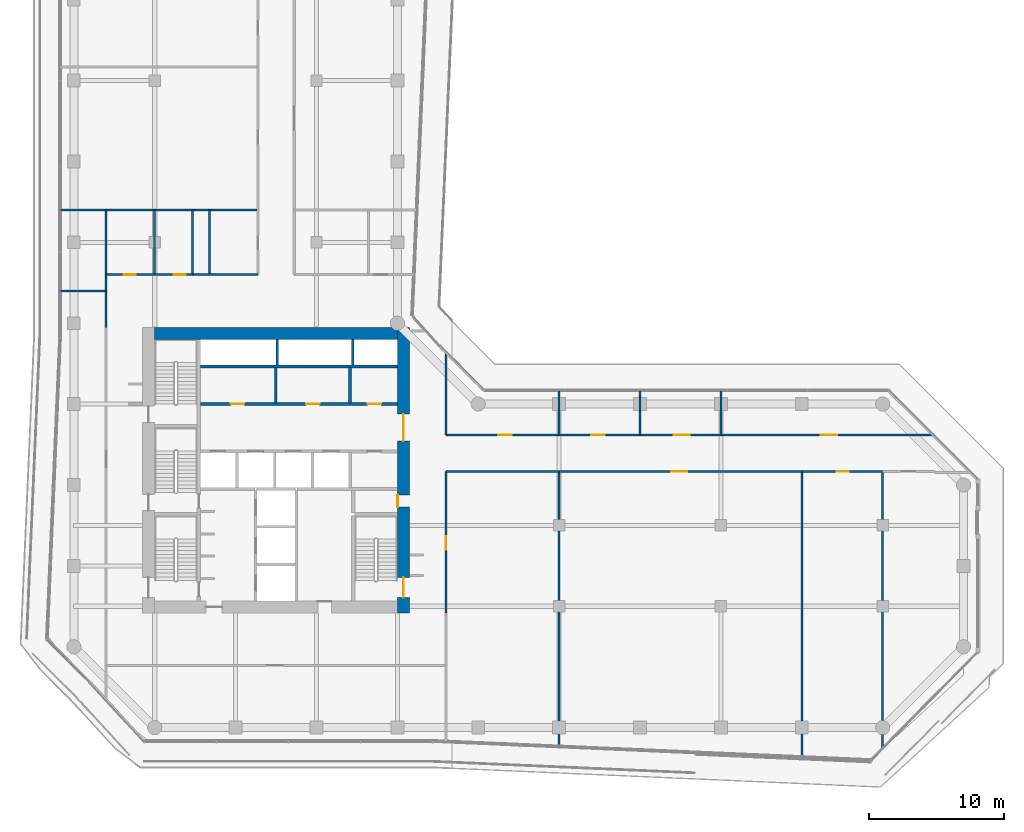
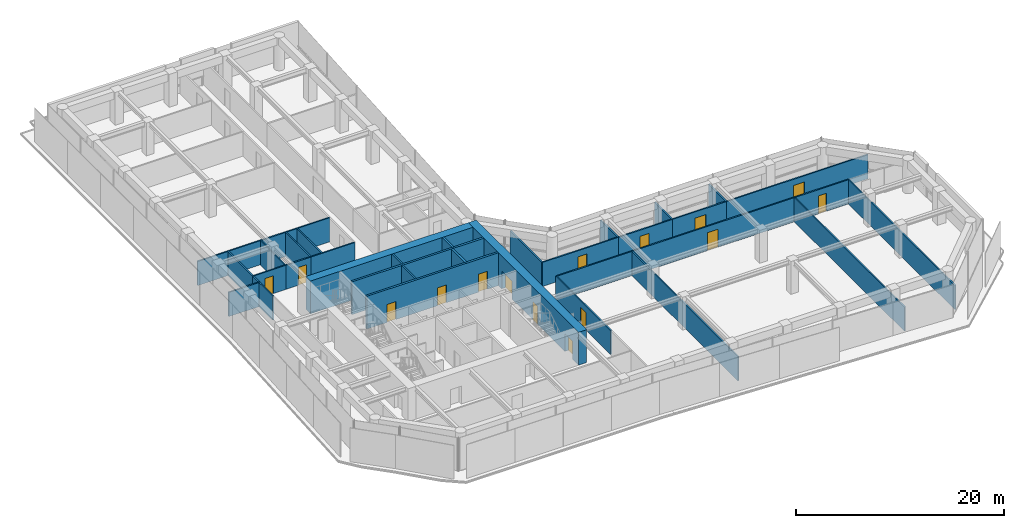
# One storey, part 24 of 29: 33 walls, 15 doors, 15 openings.
"""IFC4 building model written with IfcOpenShell, lengths in metres."""

from ifc_helpers import new_model, si_unit, direction, frame, frame_2d, origin, place, context, subcontext, project, spatial, rectangle, extrude, material, layer, layer_set, type_object, element, fill, save


model = new_model("IFC4")

# Units and contexts
model_context = context("Model", 3, precision=1e-05, world=origin(), true_north=direction((0.0, 1.0)))
body_context = subcontext(model_context, "Body", "Model", "MODEL_VIEW")
ifc_project = project(units=[si_unit("LENGTHUNIT", "METRE"), si_unit("AREAUNIT", "SQUARE_METRE"), si_unit("VOLUMEUNIT", "CUBIC_METRE"), si_unit("PLANEANGLEUNIT", "RADIAN"), si_unit("MASSUNIT", "GRAM", prefix="KILO")], contexts=[model_context])

# Site, building, storey
site_placement = place(None, origin())
site = spatial("IfcSite", under=ifc_project, at=site_placement, CompositionType="ELEMENT")
building_placement = place(site_placement, origin())
building = spatial("IfcBuilding", under=site, at=building_placement, Name="Welwitschia Terrace Campus", CompositionType="ELEMENT")
storey_placement = place(building_placement, frame((0.0, 0.0, 41.60009765625)))
storey = spatial("IfcBuildingStorey", under=building, at=storey_placement, Name="L09", CompositionType="ELEMENT", Elevation=41.60009765625)

# Wall
ifc_material_1 = material(Name="Concrete C32/40", Category="concrete")
ifc_layer_1 = layer(ifc_material_1, 0.175048828125)
ifc_layer_set_1 = layer_set([ifc_layer_1], Name="Concrete C32/40")
wall_type_1 = type_object("IfcWallType", Name="Core partition 175 Concrete C32/40", PredefinedType="PARTITIONING", material=ifc_layer_set_1)
wall_1_placement = place(storey_placement, frame((14.97509765625, 20.10009765625, 0.0), z_axis=(0.0, 0.0, 1.0), x_axis=(0.0, 1.0, 0.0)))
element("IfcWall", 1, at=wall_1_placement, inside=storey, type_object=wall_type_1, Name="Core partition", PredefinedType="PARTITIONING", context=body_context, shape_type="SweptSolid", body=[
    extrude(rectangle(XDim=2.599853515625, YDim=0.175048828125, at=frame_2d((1.2998046875, 0.0))), origin(), (0.0, 0.0, 1.0), 3.849853515625),
])

# Wall, openings, doors
ifc_material_2 = material(Name="Concrete C32/40", Category="concrete")
ifc_layer_2 = layer(ifc_material_2, 0.22509765625)
ifc_layer_set_2 = layer_set([ifc_layer_2], Name="Concrete C32/40")
wall_type_2 = type_object("IfcWallType", Name="Core partition 225 Concrete C32/40", PredefinedType="PARTITIONING", material=ifc_layer_set_2)
wall_2_placement = place(storey_placement, frame((24.0, 20.0, 0.0), z_axis=(0.0, 0.0, 1.0), x_axis=(-1.0, 0.0, 0.0)))
wall_2 = element("IfcWall", 2, at=wall_2_placement, inside=storey, type_object=wall_type_2, Name="Core partition", PredefinedType="PARTITIONING", context=body_context, shape_type="SweptSolid", body=[
    extrude(rectangle(XDim=14.60009765625, YDim=0.22509765625, at=frame_2d((7.300048828125, 0.0))), origin(), (0.0, 0.0, 1.0), 3.849853515625),
])
opening_1_placement = place(wall_2_placement, frame((11.35009765625, 0.0, 0.0)))
opening_1 = element("IfcOpeningElement", 3, at=opening_1_placement, cuts=wall_2, Name="Opening DR10", PredefinedType="OPENING", context=body_context, shape_type="SweptSolid", body=[
    extrude(rectangle(XDim=1.0, YDim=2.10009765625, at=frame_2d((0.5, 1.050048828125))), frame((0.0, 0.12255859375, 0.0), z_axis=(0.0, -1.0, 0.0), x_axis=(1.0, 0.0, 0.0)), (0.0, 0.0, 1.0), 0.2451171875),
])
opening_2_placement = place(wall_2_placement, frame((5.77490234375, 0.0, 0.0)))
opening_2 = element("IfcOpeningElement", 4, at=opening_2_placement, cuts=wall_2, Name="Opening DR10", PredefinedType="OPENING", context=body_context, shape_type="SweptSolid", body=[
    extrude(rectangle(XDim=1.0, YDim=2.10009765625, at=frame_2d((0.5, 1.050048828125))), frame((0.0, 0.12255859375, 0.0), z_axis=(0.0, -1.0, 0.0), x_axis=(1.0, 0.0, 0.0)), (0.0, 0.0, 1.0), 0.2451171875),
])
opening_3_placement = place(wall_2_placement, frame((1.199951171875, 0.0, 0.0)))
opening_3 = element("IfcOpeningElement", 5, at=opening_3_placement, cuts=wall_2, Name="Opening DR10", PredefinedType="OPENING", context=body_context, shape_type="SweptSolid", body=[
    extrude(rectangle(XDim=1.0, YDim=2.10009765625, at=frame_2d((0.5, 1.050048828125))), frame((0.0, 0.12255859375, 0.0), z_axis=(0.0, -1.0, 0.0), x_axis=(1.0, 0.0, 0.0)), (0.0, 0.0, 1.0), 0.2451171875),
])
ifc_material_3 = material(Name="Steel S275", Category="steel")
door_type_1 = type_object("IfcDoorType", Name="Core door DR10", OperationType="SINGLE_SWING_LEFT", PredefinedType="DOOR", material=ifc_material_3)
door_1_placement = place(opening_1_placement, origin())
door_1 = element("IfcDoor", 6, at=door_1_placement, inside=storey, type_object=door_type_1, Name="Door BAYH1-D", OperationType="SINGLE_SWING_RIGHT", OverallHeight=2.10009765625, OverallWidth=1.0, PredefinedType="DOOR", context=body_context, shape_type="SweptSolid", body=[
    extrude(rectangle(XDim=1.0, YDim=2.10009765625, at=frame_2d((0.5, 1.050048828125))), frame((0.0, 0.02490234375, 0.0), z_axis=(0.0, -1.0, 0.0), x_axis=(1.0, 0.0, 0.0)), (0.0, 0.0, 1.0), 0.050048828125),
])
fill(opening_1, door_1)
door_2_placement = place(opening_2_placement, origin())
door_2 = element("IfcDoor", 7, at=door_2_placement, inside=storey, type_object=door_type_1, Name="Door BAYH2-D", OperationType="SINGLE_SWING_LEFT", OverallHeight=2.10009765625, OverallWidth=1.0, PredefinedType="DOOR", context=body_context, shape_type="SweptSolid", body=[
    extrude(rectangle(XDim=1.0, YDim=2.10009765625, at=frame_2d((0.5, 1.050048828125))), frame((0.0, 0.02490234375, 0.0), z_axis=(0.0, -1.0, 0.0), x_axis=(1.0, 0.0, 0.0)), (0.0, 0.0, 1.0), 0.050048828125),
])
fill(opening_2, door_2)
door_3_placement = place(opening_3_placement, origin())
door_3 = element("IfcDoor", 8, at=door_3_placement, inside=storey, type_object=door_type_1, Name="Door EH-D", OperationType="SINGLE_SWING_LEFT", OverallHeight=2.10009765625, OverallWidth=1.0, PredefinedType="DOOR", context=body_context, shape_type="SweptSolid", body=[
    extrude(rectangle(XDim=1.0, YDim=2.10009765625, at=frame_2d((0.5, 1.050048828125))), frame((0.0, 0.02490234375, 0.0), z_axis=(0.0, -1.0, 0.0), x_axis=(1.0, 0.0, 0.0)), (0.0, 0.0, 1.0), 0.050048828125),
])
fill(opening_3, door_3)

# Walls
wall_3_placement = place(storey_placement, frame((9.39990234375, 22.800048828125, 0.0), z_axis=(0.0, 0.0, 1.0), x_axis=(1.0, 0.0, 0.0)))
element("IfcWall", 9, at=wall_3_placement, inside=storey, type_object=wall_type_2, Name="Shaft wall", PredefinedType="PARTITIONING", context=body_context, shape_type="SweptSolid", body=[
    extrude(rectangle(XDim=14.60009765625, YDim=0.22509765625, at=frame_2d((7.300048828125, 0.0))), origin(), (0.0, 0.0, 1.0), 3.849853515625),
])
wall_4_placement = place(storey_placement, frame((20.5, 20.10009765625, 0.0), z_axis=(0.0, 0.0, 1.0), x_axis=(0.0, 1.0, 0.0)))
element("IfcWall", 10, at=wall_4_placement, inside=storey, type_object=wall_type_2, Name="Core partition", PredefinedType="PARTITIONING", context=body_context, shape_type="SweptSolid", body=[
    extrude(rectangle(XDim=2.599853515625, YDim=0.22509765625, at=frame_2d((1.2998046875, 0.0))), origin(), (0.0, 0.0, 1.0), 3.849853515625),
])
ifc_material_4 = material(Name="Concrete C50/60", Category="concrete")
ifc_layer_3 = layer(ifc_material_4, 0.199951171875)
ifc_layer_set_3 = layer_set([ifc_layer_3], Name="Concrete C50/60")
wall_type_3 = type_object("IfcWallType", Name="Core wall 200 Concrete C50/60", PredefinedType="SHEAR", material=ifc_layer_set_3)
for number, where, z_axis, x_axis, name in (
    (11, (15.10009765625, 22.89990234375, 0.0), (0.0, 0.0, 1.0), (0.0, 1.0, 0.0), "Core wall"),
    (12, (20.699951171875, 22.89990234375, 0.0), (0.0, 0.0, 1.0), (0.0, 1.0, 0.0), "Core wall"),
):
    element("IfcWall", number, at=place(storey_placement, frame(where, z_axis=z_axis, x_axis=x_axis)), inside=storey, type_object=wall_type_3, Name=name, PredefinedType="SHEAR", context=body_context, shape_type="SweptSolid", body=[
        extrude(rectangle(XDim=1.900146484375, YDim=0.199951171875, at=frame_2d((0.9501953125, 0.0))), origin(), (0.0, 0.0, 1.0), 3.849853515625),
    ])

# Wall, openings, doors
ifc_material_5 = material(Name="Concrete C70/85", Category="concrete")
ifc_layer_4 = layer(ifc_material_5, 0.89990234375)
ifc_layer_set_4 = layer_set([ifc_layer_4], Name="Concrete C70/85")
wall_type_4 = type_object("IfcWallType", Name="Core wall 900 Concrete C70/85", PredefinedType="SHEAR", material=ifc_layer_set_4)
wall_5_placement = place(storey_placement, frame((24.449951171875, 25.699951171875, 0.0), z_axis=(0.0, 0.0, 1.0), x_axis=(0.0, -1.0, 0.0)))
wall_5 = element("IfcWall", 13, at=wall_5_placement, inside=storey, type_object=wall_type_4, Name="Core outer wall", PredefinedType="SHEAR", context=body_context, shape_type="SweptSolid", body=[
    extrude(rectangle(XDim=21.199951171875, YDim=0.89990234375, at=frame_2d((10.60009765625, 0.0))), origin(), (0.0, 0.0, 1.0), 3.849853515625),
])
opening_4_placement = place(wall_5_placement, frame((18.550048828125, 0.0, 0.0)))
opening_4 = element("IfcOpeningElement", 14, at=opening_4_placement, cuts=wall_5, Name="Opening DS15", PredefinedType="OPENING", context=body_context, shape_type="SweptSolid", body=[
    extrude(rectangle(XDim=1.5, YDim=2.10009765625, at=frame_2d((0.75, 1.050048828125))), frame((0.0, 0.4599609375, 0.0), z_axis=(0.0, -1.0, 0.0), x_axis=(1.0, 0.0, 0.0)), (0.0, 0.0, 1.0), 0.919921875),
])
opening_5_placement = place(wall_5_placement, frame((12.449951171875, 0.0, 0.0)))
opening_5 = element("IfcOpeningElement", 15, at=opening_5_placement, cuts=wall_5, Name="Opening DR09", PredefinedType="OPENING", context=body_context, shape_type="SweptSolid", body=[
    extrude(rectangle(XDim=0.89990234375, YDim=2.10009765625, at=frame_2d((0.449951171875, 1.050048828125))), frame((0.0, 0.4599609375, 0.0), z_axis=(0.0, -1.0, 0.0), x_axis=(1.0, 0.0, 0.0)), (0.0, 0.0, 1.0), 0.919921875),
])
opening_6_placement = place(wall_5_placement, frame((6.449951171875, 0.0, 0.0)))
opening_6 = element("IfcOpeningElement", 16, at=opening_6_placement, cuts=wall_5, Name="Opening DL20", PredefinedType="OPENING", context=body_context, shape_type="SweptSolid", body=[
    extrude(rectangle(XDim=2.0, YDim=2.10009765625, at=frame_2d((1.0, 1.050048828125))), frame((0.0, 0.4599609375, 0.0), z_axis=(0.0, -1.0, 0.0), x_axis=(1.0, 0.0, 0.0)), (0.0, 0.0, 1.0), 0.919921875),
])
ifc_material_6 = material(Name="Steel S275", Category="steel")
door_type_2 = type_object("IfcDoorType", Name="Core door DL20", OperationType="DOUBLE_DOOR_SINGLE_SWING", PredefinedType="DOOR", material=ifc_material_6)
door_4_placement = place(opening_6_placement, origin())
door_4 = element("IfcDoor", 17, at=door_4_placement, inside=storey, type_object=door_type_2, Name="Door LOBBY-out", OperationType="DOUBLE_DOOR_SINGLE_SWING", OverallHeight=2.10009765625, OverallWidth=2.0, PredefinedType="DOOR", context=body_context, shape_type="SweptSolid", body=[
    extrude(rectangle(XDim=2.0, YDim=2.10009765625, at=frame_2d((1.0, 1.050048828125))), frame((0.0, 0.02490234375, 0.0), z_axis=(0.0, -1.0, 0.0), x_axis=(1.0, 0.0, 0.0)), (0.0, 0.0, 1.0), 0.050048828125),
])
fill(opening_6, door_4)
ifc_material_7 = material(Name="Steel S275", Category="steel")
door_type_3 = type_object("IfcDoorType", Name="Core door DR09", OperationType="SINGLE_SWING_LEFT", PredefinedType="DOOR", material=ifc_material_7)
door_5_placement = place(opening_5_placement, origin())
door_5 = element("IfcDoor", 18, at=door_5_placement, inside=storey, type_object=door_type_3, Name="Door F1B-out", OperationType="SINGLE_SWING_RIGHT", OverallHeight=2.10009765625, OverallWidth=0.89990234375, PredefinedType="DOOR", context=body_context, shape_type="SweptSolid", body=[
    extrude(rectangle(XDim=0.89990234375, YDim=2.10009765625, at=frame_2d((0.449951171875, 1.050048828125))), frame((0.0, -0.39013671875, 0.0), z_axis=(0.0, -1.0, 0.0), x_axis=(1.0, 0.0, 0.0)), (0.0, 0.0, 1.0), 0.050048828125),
])
fill(opening_5, door_5)
ifc_material_8 = material(Name="Steel S275", Category="steel")
door_type_4 = type_object("IfcDoorType", Name="Core door DS15", OperationType="DOUBLE_DOOR_SINGLE_SWING", PredefinedType="DOOR", material=ifc_material_8)
door_6_placement = place(opening_4_placement, origin())
door_6 = element("IfcDoor", 19, at=door_6_placement, inside=storey, type_object=door_type_4, Name="Door S2-out", OperationType="DOUBLE_DOOR_SINGLE_SWING", OverallHeight=2.10009765625, OverallWidth=1.5, PredefinedType="DOOR", context=body_context, shape_type="SweptSolid", body=[
    extrude(rectangle(XDim=1.5, YDim=2.10009765625, at=frame_2d((0.75, 1.050048828125))), frame((0.0, 0.02490234375, 0.0), z_axis=(0.0, -1.0, 0.0), x_axis=(1.0, 0.0, 0.0)), (0.0, 0.0, 1.0), 0.050048828125),
])
fill(opening_4, door_6)

# Walls
wall_6_placement = place(storey_placement, frame((6.0, 25.25, 0.0), z_axis=(0.0, 0.0, 1.0), x_axis=(1.0, 0.0, 0.0)))
element("IfcWall", 20, at=wall_6_placement, inside=storey, type_object=wall_type_4, Name="Core outer wall", PredefinedType="SHEAR", context=body_context, shape_type="SweptSolid", body=[
    extrude(rectangle(XDim=18.0, YDim=0.89990234375, at=frame_2d((9.0, 0.0))), origin(), (0.0, 0.0, 1.0), 3.849853515625),
])
ifc_material_9 = material(Name="Gypsum board on steel studs", Category="steel")
ifc_layer_5 = layer(ifc_material_9, 0.14990234375)
ifc_layer_set_5 = layer_set([ifc_layer_5], Name="Gypsum board on steel studs")
wall_type_5 = type_object("IfcWallType", Name="Corridor partition 150 EI 30", PredefinedType="PARTITIONING", material=ifc_layer_set_5)
wall_7_placement = place(storey_placement, frame((-1.010009765625, 28.39990234375, 0.0), z_axis=(0.0, 0.0, 1.0), x_axis=(1.0, 0.0, 0.0)))
element("IfcWall", 21, at=wall_7_placement, inside=storey, type_object=wall_type_5, Name="Partition", PredefinedType="PARTITIONING", context=body_context, shape_type="SweptSolid", body=[
    extrude(rectangle(XDim=3.409912109375, YDim=0.14990234375, at=frame_2d((1.705078125, 0.0))), origin(), (0.0, 0.0, 1.0), 2.829833984375),
])
wall_8_placement = place(storey_placement, frame((-1.010009765625, 34.39990234375, 0.0), z_axis=(0.0, 0.0, 1.0), x_axis=(1.0, 0.0, 0.0)))
element("IfcWall", 22, at=wall_8_placement, inside=storey, type_object=wall_type_5, Name="Partition", PredefinedType="PARTITIONING", context=body_context, shape_type="SweptSolid", body=[
    extrude(rectangle(XDim=14.659912109375, YDim=0.14990234375, at=frame_2d((7.330078125, 0.0))), origin(), (0.0, 0.0, 1.0), 2.829833984375),
])
wall_9_placement = place(storey_placement, frame((2.39990234375, 25.699951171875, 0.0), z_axis=(0.0, 0.0, 1.0), x_axis=(0.0, 1.0, 0.0)))
element("IfcWall", 23, at=wall_9_placement, inside=storey, type_object=wall_type_5, Name="Partition", PredefinedType="PARTITIONING", context=body_context, shape_type="SweptSolid", body=[
    extrude(rectangle(XDim=3.900146484375, YDim=0.14990234375, at=frame_2d((1.9501953125, 0.0))), origin(), (0.0, 0.0, 1.0), 2.829833984375),
])
wall_10_placement = place(storey_placement, frame((2.39990234375, 29.60009765625, 0.0), z_axis=(0.0, 0.0, 1.0), x_axis=(0.0, 1.0, 0.0)))
element("IfcWall", 24, at=wall_10_placement, inside=storey, type_object=wall_type_5, Name="Partition", PredefinedType="PARTITIONING", context=body_context, shape_type="SweptSolid", body=[
    extrude(rectangle(XDim=4.7998046875, YDim=0.14990234375, at=frame_2d((2.39990234375, 0.0))), origin(), (0.0, 0.0, 1.0), 2.829833984375),
])

# Wall, opening, door
wall_11_placement = place(storey_placement, frame((2.39990234375, 29.60009765625, 0.0), z_axis=(0.0, 0.0, 1.0), x_axis=(1.0, 0.0, 0.0)))
wall_11 = element("IfcWall", 25, at=wall_11_placement, inside=storey, type_object=wall_type_5, Name="Partition", PredefinedType="PARTITIONING", context=body_context, shape_type="SweptSolid", body=[
    extrude(rectangle(XDim=3.60009765625, YDim=0.14990234375, at=frame_2d((1.800048828125, 0.0))), origin(), (0.0, 0.0, 1.0), 2.829833984375),
])
opening_7_placement = place(wall_11_placement, frame((1.300048828125, 0.0, 0.0)))
opening_7 = element("IfcOpeningElement", 26, at=opening_7_placement, cuts=wall_11, Name="Opening DI09", PredefinedType="OPENING", context=body_context, shape_type="SweptSolid", body=[
    extrude(rectangle(XDim=0.89990234375, YDim=2.10009765625, at=frame_2d((0.449951171875, 1.050048828125))), frame((0.0, 0.0849609375, 0.0), z_axis=(0.0, -1.0, 0.0), x_axis=(1.0, 0.0, 0.0)), (0.0, 0.0, 1.0), 0.169921875),
])
ifc_material_10 = material(Name="Timber veneered door", Category="wood")
door_type_5 = type_object("IfcDoorType", Name="Interior door DI09", OperationType="NOTDEFINED", PredefinedType="DOOR", material=ifc_material_10)
door_7_placement = place(opening_7_placement, origin())
door_7 = element("IfcDoor", 27, at=door_7_placement, inside=storey, type_object=door_type_5, Name="Door L09 210", OperationType="SINGLE_SWING_LEFT", OverallHeight=2.10009765625, OverallWidth=0.89990234375, PredefinedType="DOOR", context=body_context, shape_type="SweptSolid", body=[
    extrude(rectangle(XDim=0.89990234375, YDim=2.10009765625, at=frame_2d((0.449951171875, 1.050048828125))), frame((0.0, 0.02490234375, 0.0), z_axis=(0.0, -1.0, 0.0), x_axis=(1.0, 0.0, 0.0)), (0.0, 0.0, 1.0), 0.050048828125),
])
fill(opening_7, door_7)

# Wall
wall_12_placement = place(storey_placement, frame((6.0, 29.60009765625, 0.0), z_axis=(0.0, 0.0, 1.0), x_axis=(0.0, 1.0, 0.0)))
element("IfcWall", 28, at=wall_12_placement, inside=storey, type_object=wall_type_5, Name="Partition", PredefinedType="PARTITIONING", context=body_context, shape_type="SweptSolid", body=[
    extrude(rectangle(XDim=4.7998046875, YDim=0.14990234375, at=frame_2d((2.39990234375, 0.0))), origin(), (0.0, 0.0, 1.0), 2.829833984375),
])

# Wall, opening, door
wall_13_placement = place(storey_placement, frame((6.0, 29.60009765625, 0.0), z_axis=(0.0, 0.0, 1.0), x_axis=(1.0, 0.0, 0.0)))
wall_13 = element("IfcWall", 29, at=wall_13_placement, inside=storey, type_object=wall_type_5, Name="Partition", PredefinedType="PARTITIONING", context=body_context, shape_type="SweptSolid", body=[
    extrude(rectangle(XDim=2.800048828125, YDim=0.14990234375, at=frame_2d((1.39990234375, 0.0))), origin(), (0.0, 0.0, 1.0), 2.829833984375),
])
opening_8_placement = place(wall_13_placement, frame((1.39990234375, 0.0, 0.0)))
opening_8 = element("IfcOpeningElement", 30, at=opening_8_placement, cuts=wall_13, Name="Opening DI09", PredefinedType="OPENING", context=body_context, shape_type="SweptSolid", body=[
    extrude(rectangle(XDim=0.89990234375, YDim=2.10009765625, at=frame_2d((0.449951171875, 1.050048828125))), frame((0.0, 0.0849609375, 0.0), z_axis=(0.0, -1.0, 0.0), x_axis=(1.0, 0.0, 0.0)), (0.0, 0.0, 1.0), 0.169921875),
])
door_8_placement = place(opening_8_placement, origin())
door_8 = element("IfcDoor", 31, at=door_8_placement, inside=storey, type_object=door_type_5, Name="Door L09 211", OperationType="SINGLE_SWING_RIGHT", OverallHeight=2.10009765625, OverallWidth=0.89990234375, PredefinedType="DOOR", context=body_context, shape_type="SweptSolid", body=[
    extrude(rectangle(XDim=0.89990234375, YDim=2.10009765625, at=frame_2d((0.449951171875, 1.050048828125))), frame((0.0, 0.02490234375, 0.0), z_axis=(0.0, -1.0, 0.0), x_axis=(1.0, 0.0, 0.0)), (0.0, 0.0, 1.0), 0.050048828125),
])
fill(opening_8, door_8)

# Walls
wall_14_placement = place(storey_placement, frame((8.800048828125, 29.60009765625, 0.0), z_axis=(0.0, 0.0, 1.0), x_axis=(0.0, 1.0, 0.0)))
element("IfcWall", 32, at=wall_14_placement, inside=storey, type_object=wall_type_5, Name="Partition", PredefinedType="PARTITIONING", context=body_context, shape_type="SweptSolid", body=[
    extrude(rectangle(XDim=4.7998046875, YDim=0.14990234375, at=frame_2d((2.39990234375, 0.0))), origin(), (0.0, 0.0, 1.0), 2.829833984375),
])
wall_15_placement = place(storey_placement, frame((8.800048828125, 29.60009765625, 0.0), z_axis=(0.0, 0.0, 1.0), x_axis=(1.0, 0.0, 0.0)))
element("IfcWall", 33, at=wall_15_placement, inside=storey, type_object=wall_type_5, Name="Partition", PredefinedType="PARTITIONING", context=body_context, shape_type="SweptSolid", body=[
    extrude(rectangle(XDim=4.849853515625, YDim=0.14990234375, at=frame_2d((2.4248046875, 0.0))), origin(), (0.0, 0.0, 1.0), 2.829833984375),
])
wall_16_placement = place(storey_placement, frame((10.050048828125, 29.60009765625, 0.0), z_axis=(0.0, 0.0, 1.0), x_axis=(0.0, 1.0, 0.0)))
element("IfcWall", 34, at=wall_16_placement, inside=storey, type_object=wall_type_5, Name="Partition", PredefinedType="PARTITIONING", context=body_context, shape_type="SweptSolid", body=[
    extrude(rectangle(XDim=4.7998046875, YDim=0.14990234375, at=frame_2d((2.39990234375, 0.0))), origin(), (0.0, 0.0, 1.0), 2.829833984375),
])

# Wall, opening, door
wall_17_placement = place(storey_placement, frame((27.60009765625, 15.0, 0.0), z_axis=(0.0, 0.0, 1.0), x_axis=(0.0, -1.0, 0.0)))
wall_17 = element("IfcWall", 35, at=wall_17_placement, inside=storey, type_object=wall_type_5, Name="Partition", PredefinedType="PARTITIONING", context=body_context, shape_type="SweptSolid", body=[
    extrude(rectangle(XDim=10.5, YDim=0.14990234375, at=frame_2d((5.25, 0.0))), origin(), (0.0, 0.0, 1.0), 2.829833984375),
])
opening_9_placement = place(wall_17_placement, frame((4.800048828125, 0.0, 0.0)))
opening_9 = element("IfcOpeningElement", 36, at=opening_9_placement, cuts=wall_17, Name="Opening DI10", PredefinedType="OPENING", context=body_context, shape_type="SweptSolid", body=[
    extrude(rectangle(XDim=1.0, YDim=2.10009765625, at=frame_2d((0.5, 1.050048828125))), frame((0.0, 0.0849609375, 0.0), z_axis=(0.0, -1.0, 0.0), x_axis=(1.0, 0.0, 0.0)), (0.0, 0.0, 1.0), 0.169921875),
])
ifc_material_11 = material(Name="Timber veneered door", Category="wood")
door_type_6 = type_object("IfcDoorType", Name="Interior door DI10", OperationType="NOTDEFINED", PredefinedType="DOOR", material=ifc_material_11)
door_9_placement = place(opening_9_placement, origin())
door_9 = element("IfcDoor", 37, at=door_9_placement, inside=storey, type_object=door_type_6, Name="Door L09 221", OperationType="SINGLE_SWING_RIGHT", OverallHeight=2.10009765625, OverallWidth=1.0, PredefinedType="DOOR", context=body_context, shape_type="SweptSolid", body=[
    extrude(rectangle(XDim=1.0, YDim=2.10009765625, at=frame_2d((0.5, 1.050048828125))), frame((0.0, 0.02490234375, 0.0), z_axis=(0.0, -1.0, 0.0), x_axis=(1.0, 0.0, 0.0)), (0.0, 0.0, 1.0), 0.050048828125),
])
fill(opening_9, door_9)

# Walls
wall_18_placement = place(storey_placement, frame((27.60009765625, 15.0, 0.0), z_axis=(0.0, 0.0, 1.0), x_axis=(1.0, 0.0, 0.0)))
element("IfcWall", 38, at=wall_18_placement, inside=storey, type_object=wall_type_5, Name="Partition", PredefinedType="PARTITIONING", context=body_context, shape_type="SweptSolid", body=[
    extrude(rectangle(XDim=8.39990234375, YDim=0.14990234375, at=frame_2d((4.199951171875, 0.0))), origin(), (0.0, 0.0, 1.0), 2.829833984375),
])
wall_19_placement = place(storey_placement, frame((27.60009765625, 17.699951171875, 0.0), z_axis=(0.0, 0.0, 1.0), x_axis=(0.0, 1.0, 0.0)))
element("IfcWall", 39, at=wall_19_placement, inside=storey, type_object=wall_type_5, Name="Partition", PredefinedType="PARTITIONING", context=body_context, shape_type="SweptSolid", body=[
    extrude(rectangle(XDim=6.1201171875, YDim=0.14990234375, at=frame_2d((3.06005859375, 0.0))), origin(), (0.0, 0.0, 1.0), 2.829833984375),
])

# Wall, opening, door
wall_20_placement = place(storey_placement, frame((27.60009765625, 17.699951171875, 0.0), z_axis=(0.0, 0.0, 1.0), x_axis=(1.0, 0.0, 0.0)))
wall_20 = element("IfcWall", 40, at=wall_20_placement, inside=storey, type_object=wall_type_5, Name="Partition", PredefinedType="PARTITIONING", context=body_context, shape_type="SweptSolid", body=[
    extrude(rectangle(XDim=8.39990234375, YDim=0.14990234375, at=frame_2d((4.199951171875, 0.0))), origin(), (0.0, 0.0, 1.0), 2.829833984375),
])
opening_10_placement = place(wall_20_placement, frame((3.89990234375, 0.0, 0.0)))
opening_10 = element("IfcOpeningElement", 41, at=opening_10_placement, cuts=wall_20, Name="Opening DI10", PredefinedType="OPENING", context=body_context, shape_type="SweptSolid", body=[
    extrude(rectangle(XDim=1.0, YDim=2.10009765625, at=frame_2d((0.5, 1.050048828125))), frame((0.0, 0.0849609375, 0.0), z_axis=(0.0, -1.0, 0.0), x_axis=(1.0, 0.0, 0.0)), (0.0, 0.0, 1.0), 0.169921875),
])
door_10_placement = place(opening_10_placement, origin())
door_10 = element("IfcDoor", 42, at=door_10_placement, inside=storey, type_object=door_type_6, Name="Door L09 222", OperationType="SINGLE_SWING_LEFT", OverallHeight=2.10009765625, OverallWidth=1.0, PredefinedType="DOOR", context=body_context, shape_type="SweptSolid", body=[
    extrude(rectangle(XDim=1.0, YDim=2.10009765625, at=frame_2d((0.5, 1.050048828125))), frame((0.0, 0.02490234375, 0.0), z_axis=(0.0, -1.0, 0.0), x_axis=(1.0, 0.0, 0.0)), (0.0, 0.0, 1.0), 0.050048828125),
])
fill(opening_10, door_10)

# Walls
wall_21_placement = place(storey_placement, frame((36.0, -5.419921875, 0.0), z_axis=(0.0, 0.0, 1.0), x_axis=(0.0, 1.0, 0.0)))
element("IfcWall", 43, at=wall_21_placement, inside=storey, type_object=wall_type_5, Name="Partition", PredefinedType="PARTITIONING", context=body_context, shape_type="SweptSolid", body=[
    extrude(rectangle(XDim=20.419921875, YDim=0.14990234375, at=frame_2d((10.2099609375, 0.0))), origin(), (0.0, 0.0, 1.0), 2.829833984375),
])
wall_22_placement = place(storey_placement, frame((36.0, 17.699951171875, 0.0), z_axis=(0.0, 0.0, 1.0), x_axis=(0.0, 1.0, 0.0)))
element("IfcWall", 44, at=wall_22_placement, inside=storey, type_object=wall_type_5, Name="Partition", PredefinedType="PARTITIONING", context=body_context, shape_type="SweptSolid", body=[
    extrude(rectangle(XDim=3.31005859375, YDim=0.14990234375, at=frame_2d((1.655029296875, 0.0))), origin(), (0.0, 0.0, 1.0), 2.829833984375),
])

# Wall, opening, door
wall_23_placement = place(storey_placement, frame((36.0, 17.699951171875, 0.0), z_axis=(0.0, 0.0, 1.0), x_axis=(1.0, 0.0, 0.0)))
wall_23 = element("IfcWall", 45, at=wall_23_placement, inside=storey, type_object=wall_type_5, Name="Partition", PredefinedType="PARTITIONING", context=body_context, shape_type="SweptSolid", body=[
    extrude(rectangle(XDim=6.0, YDim=0.14990234375, at=frame_2d((3.0, 0.0))), origin(), (0.0, 0.0, 1.0), 2.829833984375),
])
opening_11_placement = place(wall_23_placement, frame((2.39990234375, 0.0, 0.0)))
opening_11 = element("IfcOpeningElement", 46, at=opening_11_placement, cuts=wall_23, Name="Opening DI10", PredefinedType="OPENING", context=body_context, shape_type="SweptSolid", body=[
    extrude(rectangle(XDim=1.0, YDim=2.10009765625, at=frame_2d((0.5, 1.050048828125))), frame((0.0, 0.0849609375, 0.0), z_axis=(0.0, -1.0, 0.0), x_axis=(1.0, 0.0, 0.0)), (0.0, 0.0, 1.0), 0.169921875),
])
door_11_placement = place(opening_11_placement, origin())
door_11 = element("IfcDoor", 47, at=door_11_placement, inside=storey, type_object=door_type_6, Name="Door L09 223", OperationType="SINGLE_SWING_RIGHT", OverallHeight=2.10009765625, OverallWidth=1.0, PredefinedType="DOOR", context=body_context, shape_type="SweptSolid", body=[
    extrude(rectangle(XDim=1.0, YDim=2.10009765625, at=frame_2d((0.5, 1.050048828125))), frame((0.0, 0.02490234375, 0.0), z_axis=(0.0, -1.0, 0.0), x_axis=(1.0, 0.0, 0.0)), (0.0, 0.0, 1.0), 0.050048828125),
])
fill(opening_11, door_11)

# Wall
wall_24_placement = place(storey_placement, frame((42.0, 17.699951171875, 0.0), z_axis=(0.0, 0.0, 1.0), x_axis=(0.0, 1.0, 0.0)))
element("IfcWall", 48, at=wall_24_placement, inside=storey, type_object=wall_type_5, Name="Partition", PredefinedType="PARTITIONING", context=body_context, shape_type="SweptSolid", body=[
    extrude(rectangle(XDim=3.31005859375, YDim=0.14990234375, at=frame_2d((1.655029296875, 0.0))), origin(), (0.0, 0.0, 1.0), 2.829833984375),
])

# Wall, opening, door
wall_25_placement = place(storey_placement, frame((42.0, 17.699951171875, 0.0), z_axis=(0.0, 0.0, 1.0), x_axis=(1.0, 0.0, 0.0)))
wall_25 = element("IfcWall", 49, at=wall_25_placement, inside=storey, type_object=wall_type_5, Name="Partition", PredefinedType="PARTITIONING", context=body_context, shape_type="SweptSolid", body=[
    extrude(rectangle(XDim=6.0, YDim=0.14990234375, at=frame_2d((3.0, 0.0))), origin(), (0.0, 0.0, 1.0), 2.829833984375),
])
opening_12_placement = place(wall_25_placement, frame((2.5, 0.0, 0.0)))
opening_12 = element("IfcOpeningElement", 50, at=opening_12_placement, cuts=wall_25, Name="Opening DI12", PredefinedType="OPENING", context=body_context, shape_type="SweptSolid", body=[
    extrude(rectangle(XDim=1.199951171875, YDim=2.10009765625, at=frame_2d((0.60009765625, 1.050048828125))), frame((0.0, 0.0849609375, 0.0), z_axis=(0.0, -1.0, 0.0), x_axis=(1.0, 0.0, 0.0)), (0.0, 0.0, 1.0), 0.169921875),
])
ifc_material_12 = material(Name="Timber veneered door", Category="wood")
door_type_7 = type_object("IfcDoorType", Name="Interior door DI12", OperationType="NOTDEFINED", PredefinedType="DOOR", material=ifc_material_12)
door_12_placement = place(opening_12_placement, origin())
door_12 = element("IfcDoor", 51, at=door_12_placement, inside=storey, type_object=door_type_7, Name="Door L09 224", OperationType="SINGLE_SWING_LEFT", OverallHeight=2.10009765625, OverallWidth=1.199951171875, PredefinedType="DOOR", context=body_context, shape_type="SweptSolid", body=[
    extrude(rectangle(XDim=1.199951171875, YDim=2.10009765625, at=frame_2d((0.60009765625, 1.050048828125))), frame((0.0, 0.02490234375, 0.0), z_axis=(0.0, -1.0, 0.0), x_axis=(1.0, 0.0, 0.0)), (0.0, 0.0, 1.0), 0.050048828125),
])
fill(opening_12, door_12)

# Wall
wall_26_placement = place(storey_placement, frame((48.0, 17.699951171875, 0.0), z_axis=(0.0, 0.0, 1.0), x_axis=(0.0, 1.0, 0.0)))
element("IfcWall", 52, at=wall_26_placement, inside=storey, type_object=wall_type_5, Name="Partition", PredefinedType="PARTITIONING", context=body_context, shape_type="SweptSolid", body=[
    extrude(rectangle(XDim=3.31005859375, YDim=0.14990234375, at=frame_2d((1.655029296875, 0.0))), origin(), (0.0, 0.0, 1.0), 2.829833984375),
])

# Wall, opening, door
wall_27_placement = place(storey_placement, frame((48.0, 17.699951171875, 0.0), z_axis=(0.0, 0.0, 1.0), x_axis=(1.0, 0.0, 0.0)))
wall_27 = element("IfcWall", 53, at=wall_27_placement, inside=storey, type_object=wall_type_5, Name="Partition", PredefinedType="PARTITIONING", context=body_context, shape_type="SweptSolid", body=[
    extrude(rectangle(XDim=15.68310546875, YDim=0.14990234375, at=frame_2d((7.841552734375, 0.0))), origin(), (0.0, 0.0, 1.0), 2.829833984375),
])
opening_13_placement = place(wall_27_placement, frame((7.419921875, 0.0, 0.0)))
opening_13 = element("IfcOpeningElement", 54, at=opening_13_placement, cuts=wall_27, Name="Opening DI12", PredefinedType="OPENING", context=body_context, shape_type="SweptSolid", body=[
    extrude(rectangle(XDim=1.199951171875, YDim=2.10009765625, at=frame_2d((0.60009765625, 1.050048828125))), frame((0.0, 0.0849609375, 0.0), z_axis=(0.0, -1.0, 0.0), x_axis=(1.0, 0.0, 0.0)), (0.0, 0.0, 1.0), 0.169921875),
])
door_13_placement = place(opening_13_placement, origin())
door_13 = element("IfcDoor", 55, at=door_13_placement, inside=storey, type_object=door_type_7, Name="Door L09 225", OperationType="SINGLE_SWING_RIGHT", OverallHeight=2.10009765625, OverallWidth=1.199951171875, PredefinedType="DOOR", context=body_context, shape_type="SweptSolid", body=[
    extrude(rectangle(XDim=1.199951171875, YDim=2.10009765625, at=frame_2d((0.60009765625, 1.050048828125))), frame((0.0, 0.02490234375, 0.0), z_axis=(0.0, -1.0, 0.0), x_axis=(1.0, 0.0, 0.0)), (0.0, 0.0, 1.0), 0.050048828125),
])
fill(opening_13, door_13)

# Wall
wall_28_placement = place(storey_placement, frame((54.0, -6.199951171875, 0.0), z_axis=(0.0, 0.0, 1.0), x_axis=(0.0, 1.0, 0.0)))
element("IfcWall", 56, at=wall_28_placement, inside=storey, type_object=wall_type_5, Name="Partition", PredefinedType="PARTITIONING", context=body_context, shape_type="SweptSolid", body=[
    extrude(rectangle(XDim=21.199951171875, YDim=0.14990234375, at=frame_2d((10.60009765625, 0.0))), origin(), (0.0, 0.0, 1.0), 2.829833984375),
])

# Wall, opening, door
wall_29_placement = place(storey_placement, frame((54.0, 15.0, 0.0), z_axis=(0.0, 0.0, 1.0), x_axis=(-1.0, 0.0, 0.0)))
wall_29 = element("IfcWall", 57, at=wall_29_placement, inside=storey, type_object=wall_type_5, Name="Partition", PredefinedType="PARTITIONING", context=body_context, shape_type="SweptSolid", body=[
    extrude(rectangle(XDim=18.0, YDim=0.14990234375, at=frame_2d((9.0, 0.0))), origin(), (0.0, 0.0, 1.0), 2.829833984375),
])
opening_14_placement = place(wall_29_placement, frame((8.5, 0.0, 0.0)))
opening_14 = element("IfcOpeningElement", 58, at=opening_14_placement, cuts=wall_29, Name="Opening DI12", PredefinedType="OPENING", context=body_context, shape_type="SweptSolid", body=[
    extrude(rectangle(XDim=1.199951171875, YDim=2.10009765625, at=frame_2d((0.60009765625, 1.050048828125))), frame((0.0, 0.0849609375, 0.0), z_axis=(0.0, -1.0, 0.0), x_axis=(1.0, 0.0, 0.0)), (0.0, 0.0, 1.0), 0.169921875),
])
door_14_placement = place(opening_14_placement, origin())
door_14 = element("IfcDoor", 59, at=door_14_placement, inside=storey, type_object=door_type_7, Name="Door L09 226", OperationType="SINGLE_SWING_LEFT", OverallHeight=2.10009765625, OverallWidth=1.199951171875, PredefinedType="DOOR", context=body_context, shape_type="SweptSolid", body=[
    extrude(rectangle(XDim=1.199951171875, YDim=2.10009765625, at=frame_2d((0.60009765625, 1.050048828125))), frame((0.0, 0.02490234375, 0.0), z_axis=(0.0, -1.0, 0.0), x_axis=(1.0, 0.0, 0.0)), (0.0, 0.0, 1.0), 0.050048828125),
])
fill(opening_14, door_14)

# Wall
wall_30_placement = place(storey_placement, frame((60.0, -5.52001953125, 0.0), z_axis=(0.0, 0.0, 1.0), x_axis=(0.0, 1.0, 0.0)))
element("IfcWall", 60, at=wall_30_placement, inside=storey, type_object=wall_type_5, Name="Partition", PredefinedType="PARTITIONING", context=body_context, shape_type="SweptSolid", body=[
    extrude(rectangle(XDim=20.52001953125, YDim=0.14990234375, at=frame_2d((10.260009765625, 0.0))), origin(), (0.0, 0.0, 1.0), 2.829833984375),
])

# Wall, opening, door
wall_31_placement = place(storey_placement, frame((60.0, 15.0, 0.0), z_axis=(0.0, 0.0, 1.0), x_axis=(-1.0, 0.0, 0.0)))
wall_31 = element("IfcWall", 61, at=wall_31_placement, inside=storey, type_object=wall_type_5, Name="Partition", PredefinedType="PARTITIONING", context=body_context, shape_type="SweptSolid", body=[
    extrude(rectangle(XDim=6.0, YDim=0.14990234375, at=frame_2d((3.0, 0.0))), origin(), (0.0, 0.0, 1.0), 2.829833984375),
])
opening_15_placement = place(wall_31_placement, frame((2.5, 0.0, 0.0)))
opening_15 = element("IfcOpeningElement", 62, at=opening_15_placement, cuts=wall_31, Name="Opening DI09", PredefinedType="OPENING", context=body_context, shape_type="SweptSolid", body=[
    extrude(rectangle(XDim=0.89990234375, YDim=2.10009765625, at=frame_2d((0.449951171875, 1.050048828125))), frame((0.0, 0.0849609375, 0.0), z_axis=(0.0, -1.0, 0.0), x_axis=(1.0, 0.0, 0.0)), (0.0, 0.0, 1.0), 0.169921875),
])
door_15_placement = place(opening_15_placement, origin())
door_15 = element("IfcDoor", 63, at=door_15_placement, inside=storey, type_object=door_type_5, Name="Door L09 227", OperationType="SINGLE_SWING_RIGHT", OverallHeight=2.10009765625, OverallWidth=0.89990234375, PredefinedType="DOOR", context=body_context, shape_type="SweptSolid", body=[
    extrude(rectangle(XDim=0.89990234375, YDim=2.10009765625, at=frame_2d((0.449951171875, 1.050048828125))), frame((0.0, 0.02490234375, 0.0), z_axis=(0.0, -1.0, 0.0), x_axis=(1.0, 0.0, 0.0)), (0.0, 0.0, 1.0), 0.050048828125),
])
fill(opening_15, door_15)

save(model, "model.ifc")
